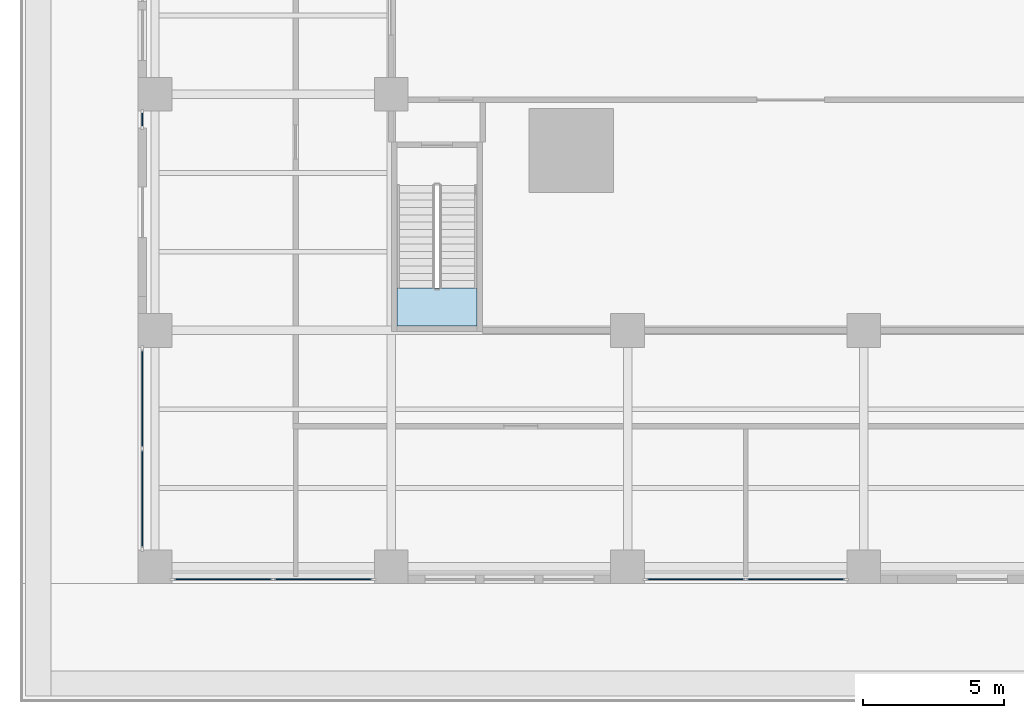
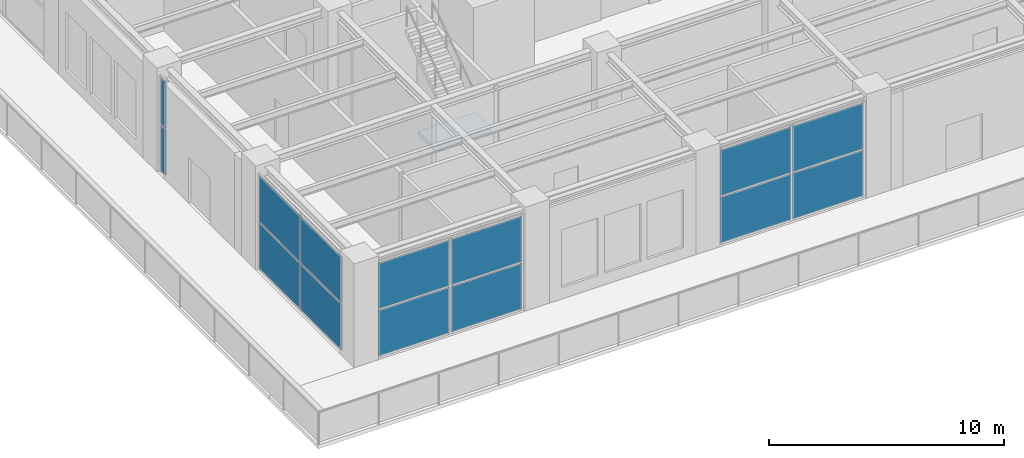
# One storey, part 13 of 36: 14 plates, 1 slab, 5 elements without a shape of their own.
"""IFC4 building model written with IfcOpenShell, lengths in metres."""

from ifc_helpers import new_model, si_unit, direction, frame, origin, origin_2d, place, context, subcontext, project, spatial, polyline, rectangle, outline, extrude, material, layer, layer_set, type_object, element, aggregate, save


model = new_model("IFC4")

# Units and contexts
model_context = context("Model", 3, precision=1e-05, world=origin(), true_north=direction((0.0, 1.0)))
body_context = subcontext(model_context, "Body", "Model", "MODEL_VIEW")
ifc_project = project(units=[si_unit("LENGTHUNIT", "METRE"), si_unit("AREAUNIT", "SQUARE_METRE"), si_unit("VOLUMEUNIT", "CUBIC_METRE"), si_unit("PLANEANGLEUNIT", "RADIAN"), si_unit("MASSUNIT", "GRAM", prefix="KILO")], contexts=[model_context])

# Site, building, storey
site_placement = place(None, origin())
site = spatial("IfcSite", under=ifc_project, at=site_placement, CompositionType="ELEMENT")
building_placement = place(site_placement, origin())
building = spatial("IfcBuilding", under=site, at=building_placement, Name="Khepri Terraces", CompositionType="ELEMENT")
storey_placement = place(building_placement, frame((0.0, 0.0, 16.800048828125)))
storey = spatial("IfcBuildingStorey", under=building, at=storey_placement, Name="L03", CompositionType="ELEMENT", Elevation=16.800048828125)

# Curtain wall, plates
ifc_material_1 = material(Name="Anodised aluminium bronze curtain wall", Category="aluminium")
curtain_wall_type = type_object("IfcCurtainWallType", Name="CW-SYS5-BALLROOM", PredefinedType="NOTDEFINED", material=ifc_material_1)
curtain_wall_1_placement = place(storey_placement, origin())
curtain_wall_1 = element("IfcCurtainWall", 1, at=curtain_wall_1_placement, inside=storey, type_object=curtain_wall_type, Name="Curtain wall CW5 L03 S", PredefinedType="NOTDEFINED")
ifc_material_2 = material(Name="Clear glass", Category="glass")
ifc_layer_1 = layer(ifc_material_2, 0.035888671875, Name="Clear glass", Category="glass")
ifc_layer_set_1 = layer_set([ifc_layer_1], Name="Clear glass")
plate_type = type_object("IfcPlateType", Name="CW-PANEL-VISION-36", PredefinedType="CURTAIN_PANEL", material=ifc_layer_set_1)
plate_1_placement = place(storey_placement, frame((-31.179931640625, -34.050048828125, 0.079833984375), z_axis=(0.0, 0.0, 1.0), x_axis=(1.0, 0.0, 0.0)))
plate_1 = element("IfcPlate", 2, at=plate_1_placement, type_object=plate_type, Name="CW5 panel 1.1", PredefinedType="CURTAIN_PANEL", context=body_context, shape_type="SweptSolid", body=[
    extrude(rectangle(XDim=3.47998046875, YDim=0.035888671875, at=origin_2d()), origin(), (0.0, 0.0, 1.0), 2.3701171875),
])
plate_2_placement = place(storey_placement, frame((-31.179931640625, -34.050048828125, 2.52978515625), z_axis=(0.0, 0.0, 1.0), x_axis=(1.0, 0.0, 0.0)))
plate_2 = element("IfcPlate", 3, at=plate_2_placement, type_object=plate_type, Name="CW5 panel 1.2", PredefinedType="CURTAIN_PANEL", context=body_context, shape_type="SweptSolid", body=[
    extrude(rectangle(XDim=3.47998046875, YDim=0.035888671875, at=origin_2d()), origin(), (0.0, 0.0, 1.0), 2.3701171875),
])
plate_3_placement = place(storey_placement, frame((-27.6201171875, -34.050048828125, 0.079833984375), z_axis=(0.0, 0.0, 1.0), x_axis=(1.0, 0.0, 0.0)))
plate_3 = element("IfcPlate", 4, at=plate_3_placement, type_object=plate_type, Name="CW5 panel 2.1", PredefinedType="CURTAIN_PANEL", context=body_context, shape_type="SweptSolid", body=[
    extrude(rectangle(XDim=3.47998046875, YDim=0.035888671875, at=origin_2d()), origin(), (0.0, 0.0, 1.0), 2.3701171875),
])
plate_4_placement = place(storey_placement, frame((-27.6201171875, -34.050048828125, 2.52978515625), z_axis=(0.0, 0.0, 1.0), x_axis=(1.0, 0.0, 0.0)))
plate_4 = element("IfcPlate", 5, at=plate_4_placement, type_object=plate_type, Name="CW5 panel 2.2", PredefinedType="CURTAIN_PANEL", context=body_context, shape_type="SweptSolid", body=[
    extrude(rectangle(XDim=3.47998046875, YDim=0.035888671875, at=origin_2d()), origin(), (0.0, 0.0, 1.0), 2.3701171875),
])
aggregate(curtain_wall_1, [plate_1, plate_2, plate_3, plate_4])

curtain_wall_2_placement = place(storey_placement, origin())
curtain_wall_2 = element("IfcCurtainWall", 6, at=curtain_wall_2_placement, inside=storey, type_object=curtain_wall_type, Name="Curtain wall CW5 L03 S", PredefinedType="NOTDEFINED")
plate_5_placement = place(storey_placement, frame((-14.3798828125, -34.050048828125, 0.079833984375), z_axis=(0.0, 0.0, 1.0), x_axis=(1.0, 0.0, 0.0)))
plate_5 = element("IfcPlate", 7, at=plate_5_placement, type_object=plate_type, Name="CW5 panel 1.1", PredefinedType="CURTAIN_PANEL", context=body_context, shape_type="SweptSolid", body=[
    extrude(rectangle(XDim=3.47998046875, YDim=0.035888671875, at=origin_2d()), origin(), (0.0, 0.0, 1.0), 2.3701171875),
])
plate_6_placement = place(storey_placement, frame((-14.3798828125, -34.050048828125, 2.52978515625), z_axis=(0.0, 0.0, 1.0), x_axis=(1.0, 0.0, 0.0)))
plate_6 = element("IfcPlate", 8, at=plate_6_placement, type_object=plate_type, Name="CW5 panel 1.2", PredefinedType="CURTAIN_PANEL", context=body_context, shape_type="SweptSolid", body=[
    extrude(rectangle(XDim=3.47998046875, YDim=0.035888671875, at=origin_2d()), origin(), (0.0, 0.0, 1.0), 2.3701171875),
])
plate_7_placement = place(storey_placement, frame((-10.820068359375, -34.050048828125, 0.079833984375), z_axis=(0.0, 0.0, 1.0), x_axis=(1.0, 0.0, 0.0)))
plate_7 = element("IfcPlate", 9, at=plate_7_placement, type_object=plate_type, Name="CW5 panel 2.1", PredefinedType="CURTAIN_PANEL", context=body_context, shape_type="SweptSolid", body=[
    extrude(rectangle(XDim=3.47998046875, YDim=0.035888671875, at=origin_2d()), origin(), (0.0, 0.0, 1.0), 2.3701171875),
])
plate_8_placement = place(storey_placement, frame((-10.820068359375, -34.050048828125, 2.52978515625), z_axis=(0.0, 0.0, 1.0), x_axis=(1.0, 0.0, 0.0)))
plate_8 = element("IfcPlate", 10, at=plate_8_placement, type_object=plate_type, Name="CW5 panel 2.2", PredefinedType="CURTAIN_PANEL", context=body_context, shape_type="SweptSolid", body=[
    extrude(rectangle(XDim=3.47998046875, YDim=0.035888671875, at=origin_2d()), origin(), (0.0, 0.0, 1.0), 2.3701171875),
])
aggregate(curtain_wall_2, [plate_5, plate_6, plate_7, plate_8])

curtain_wall_3_placement = place(storey_placement, origin())
curtain_wall_3 = element("IfcCurtainWall", 11, at=curtain_wall_3_placement, inside=storey, type_object=curtain_wall_type, Name="Curtain wall CW5 L03 W", PredefinedType="NOTDEFINED")
plate_9_placement = place(storey_placement, frame((-34.050048828125, -17.699951171875, 0.079833984375), z_axis=(0.0, 0.0, 1.0), x_axis=(0.0, -1.0, 0.0)))
plate_9 = element("IfcPlate", 12, at=plate_9_placement, type_object=plate_type, Name="CW5 panel 1.1", PredefinedType="CURTAIN_PANEL", context=body_context, shape_type="SweptSolid", body=[
    extrude(rectangle(XDim=0.43994140625, YDim=0.035888671875, at=origin_2d()), origin(), (0.0, 0.0, 1.0), 2.3701171875),
])
plate_10_placement = place(storey_placement, frame((-34.050048828125, -17.699951171875, 2.52978515625), z_axis=(0.0, 0.0, 1.0), x_axis=(0.0, -1.0, 0.0)))
plate_10 = element("IfcPlate", 13, at=plate_10_placement, type_object=plate_type, Name="CW5 panel 1.2", PredefinedType="CURTAIN_PANEL", context=body_context, shape_type="SweptSolid", body=[
    extrude(rectangle(XDim=0.43994140625, YDim=0.035888671875, at=origin_2d()), origin(), (0.0, 0.0, 1.0), 2.3701171875),
])
aggregate(curtain_wall_3, [plate_9, plate_10])

curtain_wall_4_placement = place(storey_placement, origin())
curtain_wall_4 = element("IfcCurtainWall", 14, at=curtain_wall_4_placement, inside=storey, type_object=curtain_wall_type, Name="Curtain wall CW5 L03 W", PredefinedType="NOTDEFINED")
plate_11_placement = place(storey_placement, frame((-34.050048828125, -27.6201171875, 0.079833984375), z_axis=(0.0, 0.0, 1.0), x_axis=(0.0, -1.0, 0.0)))
plate_11 = element("IfcPlate", 15, at=plate_11_placement, type_object=plate_type, Name="CW5 panel 1.1", PredefinedType="CURTAIN_PANEL", context=body_context, shape_type="SweptSolid", body=[
    extrude(rectangle(XDim=3.47998046875, YDim=0.035888671875, at=origin_2d()), origin(), (0.0, 0.0, 1.0), 2.3701171875),
])
plate_12_placement = place(storey_placement, frame((-34.050048828125, -27.6201171875, 2.52978515625), z_axis=(0.0, 0.0, 1.0), x_axis=(0.0, -1.0, 0.0)))
plate_12 = element("IfcPlate", 16, at=plate_12_placement, type_object=plate_type, Name="CW5 panel 1.2", PredefinedType="CURTAIN_PANEL", context=body_context, shape_type="SweptSolid", body=[
    extrude(rectangle(XDim=3.47998046875, YDim=0.035888671875, at=origin_2d()), origin(), (0.0, 0.0, 1.0), 2.3701171875),
])
plate_13_placement = place(storey_placement, frame((-34.050048828125, -31.179931640625, 0.079833984375), z_axis=(0.0, 0.0, 1.0), x_axis=(0.0, -1.0, 0.0)))
plate_13 = element("IfcPlate", 17, at=plate_13_placement, type_object=plate_type, Name="CW5 panel 2.1", PredefinedType="CURTAIN_PANEL", context=body_context, shape_type="SweptSolid", body=[
    extrude(rectangle(XDim=3.47998046875, YDim=0.035888671875, at=origin_2d()), origin(), (0.0, 0.0, 1.0), 2.3701171875),
])
plate_14_placement = place(storey_placement, frame((-34.050048828125, -31.179931640625, 2.52978515625), z_axis=(0.0, 0.0, 1.0), x_axis=(0.0, -1.0, 0.0)))
plate_14 = element("IfcPlate", 18, at=plate_14_placement, type_object=plate_type, Name="CW5 panel 2.2", PredefinedType="CURTAIN_PANEL", context=body_context, shape_type="SweptSolid", body=[
    extrude(rectangle(XDim=3.47998046875, YDim=0.035888671875, at=origin_2d()), origin(), (0.0, 0.0, 1.0), 2.3701171875),
])
aggregate(curtain_wall_4, [plate_11, plate_12, plate_13, plate_14])

# Stair, slab
ifc_material_3 = material(Name="Concrete C40/50", Category="concrete")
stair_type = type_object("IfcStairType", Name="ST-POD", PredefinedType="HALF_TURN_STAIR", material=ifc_material_3)
stair_placement = place(storey_placement, origin())
stair = element("IfcStair", 19, at=stair_placement, inside=storey, type_object=stair_type, Name="L03 Exit Stair PS-4", PredefinedType="HALF_TURN_STAIR")
ifc_layer_2 = layer(ifc_material_3, 0.199951171875, Name="Concrete C40/50", Category="concrete")
ifc_layer_set_2 = layer_set([ifc_layer_2], Name="Concrete C40/50")
slab_type = type_object("IfcSlabType", Name="SL-POD", PredefinedType="LANDING", material=ifc_layer_set_2)
slab_placement = place(storey_placement, frame((0.0, 0.0, 2.5)))
slab = element("IfcSlab", 20, at=slab_placement, type_object=slab_type, Name="PS-4 landing 1", PredefinedType="LANDING", context=body_context, shape_type="SweptSolid", body=[
    extrude(outline(polyline([(-25.0, -23.68994140625), (-25.0, -25.0400390625), (-22.14990234375, -25.0400390625), (-22.14990234375, -23.68994140625), (-25.0, -23.68994140625)])), origin(), (0.0, 0.0, 1.0), 0.199951171875),
])
aggregate(stair, [slab])

save(model, "model.ifc")
